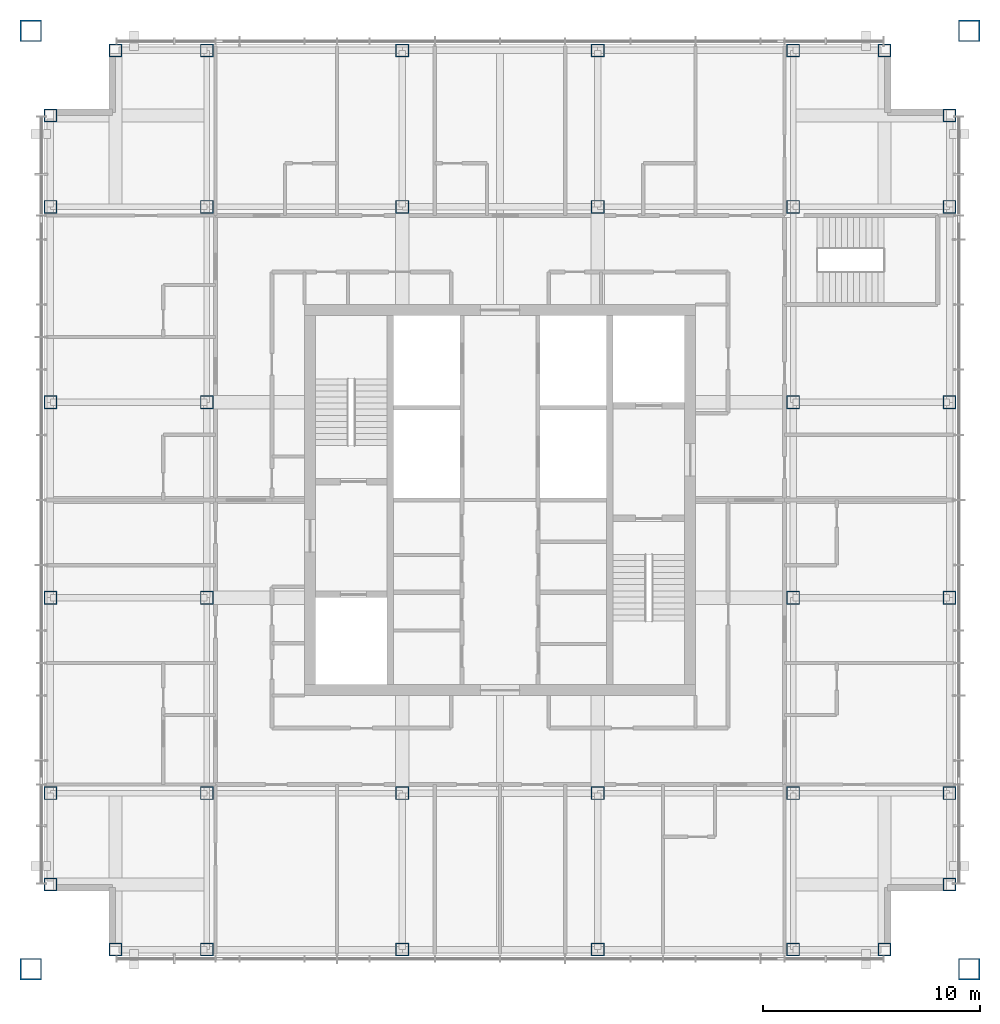
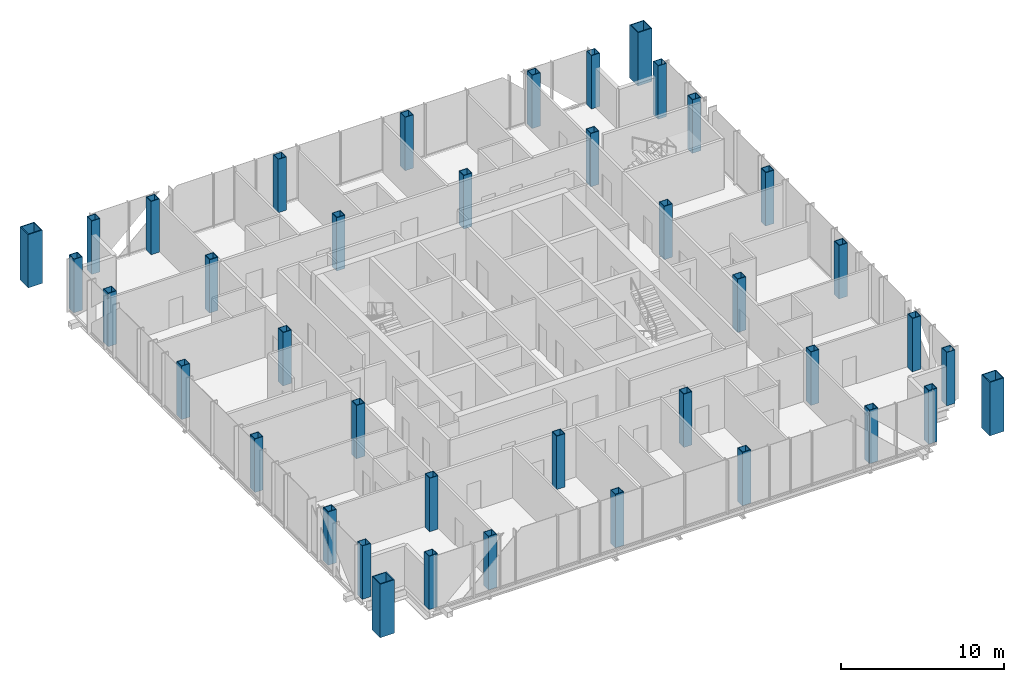
# One storey, part 1 of 16: 40 columns.
"""IFC4 building model written with IfcOpenShell, lengths in metres."""

from ifc_helpers import new_model, si_unit, direction, frame, origin, origin_2d, place, context, subcontext, project, spatial, hollow_rectangle, extrude, material, material_profile, profile_set, type_object, element, save


model = new_model("IFC4")

# Units and contexts
model_context = context("Model", 3, precision=1e-05, world=origin(), true_north=direction((0.0, 1.0)))
body_context = subcontext(model_context, "Body", "Model", "MODEL_VIEW")
ifc_project = project(units=[si_unit("LENGTHUNIT", "METRE"), si_unit("AREAUNIT", "SQUARE_METRE"), si_unit("VOLUMEUNIT", "CUBIC_METRE"), si_unit("PLANEANGLEUNIT", "RADIAN"), si_unit("MASSUNIT", "GRAM", prefix="KILO")], contexts=[model_context])

# Site, building, storey
site_placement = place(None, origin())
site = spatial("IfcSite", under=ifc_project, at=site_placement, CompositionType="ELEMENT")
building_placement = place(site_placement, origin())
building = spatial("IfcBuilding", under=site, at=building_placement, Name="Malebo Sky Hospital", CompositionType="ELEMENT")
storey_placement = place(building_placement, frame((0.0, 0.0, 254.0)))
storey = spatial("IfcBuildingStorey", under=building, at=storey_placement, Name="L61", CompositionType="ELEMENT", Elevation=254.0)

# Columns
ifc_material = material(Name="Steel S460", Category="steel")
ifc_material_profile_1 = material_profile(ifc_material, hollow_rectangle(XDim=0.60009765625, YDim=0.60009765625, WallThickness=0.0400390625, at=origin_2d()), Name="BOX 600x600x40")
ifc_profile_set_1 = profile_set([ifc_material_profile_1], Name="Steel S460")
column_type_1 = type_object("IfcColumnType", Name="INNER COLUMN BOX 600x600x40", PredefinedType="COLUMN", material=ifc_profile_set_1)
for number, where, z_axis, x_axis, name in (
    (1, (46.5, 48.5, 0.0), (0.0, 0.0, 1.0), (1.0, 0.0, 0.0), "Column IC4 L61"),
    (2, (73.5, 48.5, 0.0), (0.0, 0.0, 1.0), (1.0, 0.0, 0.0), "Column IC4 L61"),
    (3, (73.5, 75.5, 0.0), (0.0, 0.0, 1.0), (1.0, 0.0, 0.0), "Column IC4 L61"),
    (4, (46.5, 75.5, 0.0), (0.0, 0.0, 1.0), (1.0, 0.0, 0.0), "Column IC4 L61"),
    (5, (55.5, 48.5, 0.0), (0.0, 0.0, 1.0), (1.0, 0.0, 0.0), "Column IC4 L61"),
    (6, (64.5, 48.5, 0.0), (0.0, 0.0, 1.0), (1.0, 0.0, 0.0), "Column IC4 L61"),
    (7, (55.5, 75.5, 0.0), (0.0, 0.0, 1.0), (1.0, 0.0, 0.0), "Column IC4 L61"),
    (8, (64.5, 75.5, 0.0), (0.0, 0.0, 1.0), (1.0, 0.0, 0.0), "Column IC4 L61"),
    (9, (46.5, 57.5, 0.0), (0.0, 0.0, 1.0), (1.0, 0.0, 0.0), "Column IC4 L61"),
    (10, (46.5, 66.5, 0.0), (0.0, 0.0, 1.0), (1.0, 0.0, 0.0), "Column IC4 L61"),
    (11, (73.5, 57.5, 0.0), (0.0, 0.0, 1.0), (1.0, 0.0, 0.0), "Column IC4 L61"),
    (12, (73.5, 66.5, 0.0), (0.0, 0.0, 1.0), (1.0, 0.0, 0.0), "Column IC4 L61"),
):
    element("IfcColumn", number, at=place(storey_placement, frame(where, z_axis=z_axis, x_axis=x_axis)), inside=storey, type_object=column_type_1, Name=name, PredefinedType="COLUMN", context=body_context, shape_type="SweptSolid", body=[
        extrude(hollow_rectangle(XDim=0.60009765625, YDim=0.60009765625, WallThickness=0.0400390625, at=origin_2d()), origin(), (0.0, 0.0, 1.0), 4.0),
    ])
ifc_material_profile_2 = material_profile(ifc_material, hollow_rectangle(XDim=1.0, YDim=1.0, WallThickness=0.06005859375, at=origin_2d()), Name="BOX 1000x1000x60")
ifc_profile_set_2 = profile_set([ifc_material_profile_2], Name="Steel S460")
column_type_2 = type_object("IfcColumnType", Name="MEGA COLUMN BOX 1000x1000x60", PredefinedType="COLUMN", material=ifc_profile_set_2)
for number, where, z_axis, x_axis, name in (
    (13, (38.39990234375, 40.39990234375, 0.0), (0.0, 0.0, 1.0), (1.0, 0.0, 0.0), "Mega column SW L61"),
    (14, (81.60009765625, 40.39990234375, 0.0), (0.0, 0.0, 1.0), (1.0, 0.0, 0.0), "Mega column SE L61"),
    (15, (81.60009765625, 83.60009765625, 0.0), (0.0, 0.0, 1.0), (1.0, 0.0, 0.0), "Mega column NE L61"),
    (16, (38.39990234375, 83.60009765625, 0.0), (0.0, 0.0, 1.0), (1.0, 0.0, 0.0), "Mega column NW L61"),
):
    element("IfcColumn", number, at=place(storey_placement, frame(where, z_axis=z_axis, x_axis=x_axis)), inside=storey, type_object=column_type_2, Name=name, PredefinedType="COLUMN", context=body_context, shape_type="SweptSolid", body=[
        extrude(hollow_rectangle(XDim=1.0, YDim=1.0, WallThickness=0.06005859375, at=origin_2d()), origin(), (0.0, 0.0, 1.0), 4.0),
    ])
ifc_material_profile_3 = material_profile(ifc_material, hollow_rectangle(XDim=0.60009765625, YDim=0.60009765625, WallThickness=0.0400390625, at=origin_2d()), Name="BOX 600x600x40")
ifc_profile_set_3 = profile_set([ifc_material_profile_3], Name="Steel S460")
column_type_3 = type_object("IfcColumnType", Name="PERIMETER COLUMN BOX 600x600x40", PredefinedType="COLUMN", material=ifc_profile_set_3)
for number, where, z_axis, x_axis, name in (
    (17, (42.300048828125, 41.300048828125, 0.0), (0.0, 0.0, 1.0), (1.0, 0.0, 0.0), "Column PC4 L61"),
    (18, (42.300048828125, 82.699951171875, 0.0), (0.0, 0.0, 1.0), (1.0, 0.0, 0.0), "Column PC4 L61"),
    (19, (39.300048828125, 44.300048828125, 0.0), (0.0, 0.0, 1.0), (1.0, 0.0, 0.0), "Column PC4 L61"),
    (20, (80.699951171875, 44.300048828125, 0.0), (0.0, 0.0, 1.0), (1.0, 0.0, 0.0), "Column PC4 L61"),
    (21, (46.5, 41.300048828125, 0.0), (0.0, 0.0, 1.0), (1.0, 0.0, 0.0), "Column PC4 L61"),
    (22, (46.5, 82.699951171875, 0.0), (0.0, 0.0, 1.0), (1.0, 0.0, 0.0), "Column PC4 L61"),
    (23, (39.300048828125, 48.5, 0.0), (0.0, 0.0, 1.0), (1.0, 0.0, 0.0), "Column PC4 L61"),
    (24, (80.699951171875, 48.5, 0.0), (0.0, 0.0, 1.0), (1.0, 0.0, 0.0), "Column PC4 L61"),
    (25, (55.5, 41.300048828125, 0.0), (0.0, 0.0, 1.0), (1.0, 0.0, 0.0), "Column PC4 L61"),
    (26, (55.5, 82.699951171875, 0.0), (0.0, 0.0, 1.0), (1.0, 0.0, 0.0), "Column PC4 L61"),
    (27, (39.300048828125, 57.5, 0.0), (0.0, 0.0, 1.0), (1.0, 0.0, 0.0), "Column PC4 L61"),
    (28, (80.699951171875, 57.5, 0.0), (0.0, 0.0, 1.0), (1.0, 0.0, 0.0), "Column PC4 L61"),
    (29, (64.5, 41.300048828125, 0.0), (0.0, 0.0, 1.0), (1.0, 0.0, 0.0), "Column PC4 L61"),
    (30, (64.5, 82.699951171875, 0.0), (0.0, 0.0, 1.0), (1.0, 0.0, 0.0), "Column PC4 L61"),
    (31, (39.300048828125, 66.5, 0.0), (0.0, 0.0, 1.0), (1.0, 0.0, 0.0), "Column PC4 L61"),
    (32, (80.699951171875, 66.5, 0.0), (0.0, 0.0, 1.0), (1.0, 0.0, 0.0), "Column PC4 L61"),
    (33, (73.5, 41.300048828125, 0.0), (0.0, 0.0, 1.0), (1.0, 0.0, 0.0), "Column PC4 L61"),
    (34, (73.5, 82.699951171875, 0.0), (0.0, 0.0, 1.0), (1.0, 0.0, 0.0), "Column PC4 L61"),
    (35, (39.300048828125, 75.5, 0.0), (0.0, 0.0, 1.0), (1.0, 0.0, 0.0), "Column PC4 L61"),
    (36, (80.699951171875, 75.5, 0.0), (0.0, 0.0, 1.0), (1.0, 0.0, 0.0), "Column PC4 L61"),
    (37, (77.699951171875, 41.300048828125, 0.0), (0.0, 0.0, 1.0), (1.0, 0.0, 0.0), "Column PC4 L61"),
    (38, (77.699951171875, 82.699951171875, 0.0), (0.0, 0.0, 1.0), (1.0, 0.0, 0.0), "Column PC4 L61"),
    (39, (39.300048828125, 79.699951171875, 0.0), (0.0, 0.0, 1.0), (1.0, 0.0, 0.0), "Column PC4 L61"),
    (40, (80.699951171875, 79.699951171875, 0.0), (0.0, 0.0, 1.0), (1.0, 0.0, 0.0), "Column PC4 L61"),
):
    element("IfcColumn", number, at=place(storey_placement, frame(where, z_axis=z_axis, x_axis=x_axis)), inside=storey, type_object=column_type_3, Name=name, PredefinedType="COLUMN", context=body_context, shape_type="SweptSolid", body=[
        extrude(hollow_rectangle(XDim=0.60009765625, YDim=0.60009765625, WallThickness=0.0400390625, at=origin_2d()), origin(), (0.0, 0.0, 1.0), 4.0),
    ])

save(model, "model.ifc")
